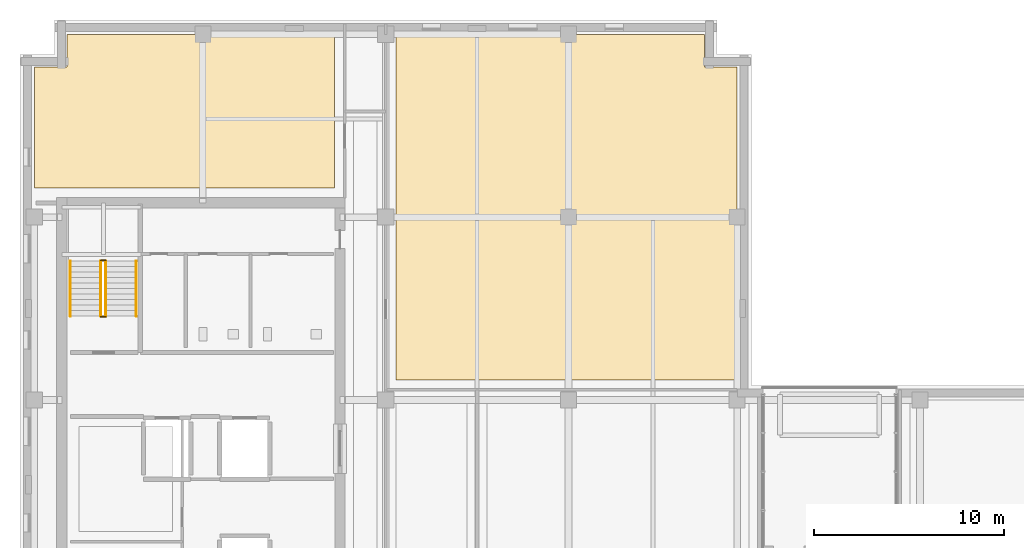
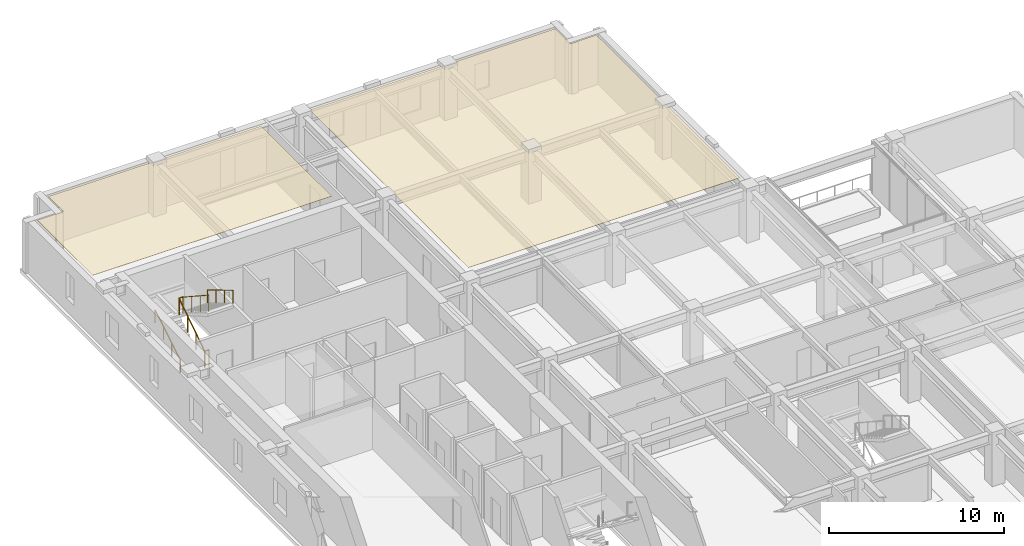
# One storey, part 12 of 14: 6 railings, 2 coverings.
"""IFC4 building model written with IfcOpenShell, lengths in metres."""

from ifc_helpers import new_model, si_unit, direction, frame, origin, origin_2d, place, context, subcontext, project, spatial, polyline, circle, outline, extrude, material, layer, layer_set, type_object, element, save


model = new_model("IFC4")

# Units and contexts
model_context = context("Model", 3, precision=1e-05, world=origin(), true_north=direction((0.0, 1.0)))
body_context = subcontext(model_context, "Body", "Model", "MODEL_VIEW")
ifc_project = project(units=[si_unit("LENGTHUNIT", "METRE"), si_unit("AREAUNIT", "SQUARE_METRE"), si_unit("VOLUMEUNIT", "CUBIC_METRE"), si_unit("PLANEANGLEUNIT", "RADIAN"), si_unit("MASSUNIT", "GRAM", prefix="KILO")], contexts=[model_context])

# Site, building, storey
site_placement = place(None, origin())
site = spatial("IfcSite", under=ifc_project, at=site_placement, CompositionType="ELEMENT")
building_placement = place(site_placement, origin())
building = spatial("IfcBuilding", under=site, at=building_placement, Name="Norrvale University Quadrangle", CompositionType="ELEMENT")
storey_placement = place(building_placement, frame((0.0, 0.0, 221.800048828125)))
storey = spatial("IfcBuildingStorey", under=building, at=storey_placement, Name="L56", CompositionType="ELEMENT", Elevation=221.800048828125)

# Coverings
ifc_material_1 = material(Name="Perforated Acoustic Mineral Ceiling")
ifc_layer = layer(ifc_material_1, 0.02490234375, Name="Perforated Acoustic Mineral Ceiling")
ifc_layer_set = layer_set([ifc_layer], Name="Perforated Acoustic Mineral Ceiling")
covering_type = type_object("IfcCoveringType", Name="Covering Acoustic Ceiling 25", PredefinedType="CEILING", material=ifc_layer_set)
covering_1_placement = place(storey_placement, frame((0.0, 0.0, 3.514892578125)))
element("IfcCovering", 1, at=covering_1_placement, inside=storey, type_object=covering_type, Name="Acoustic Ceiling RM-L56-NE01", PredefinedType="CEILING", context=body_context, shape_type="SweptSolid", body=[
    extrude(outline(polyline([(19.72998046875, 38.7099609375), (19.72998046875, 56.85009765625), (35.929931640625, 56.85009765625), (35.929931640625, 55.1298828125), (37.64990234375, 55.1298828125), (37.64990234375, 38.7099609375), (19.72998046875, 38.7099609375)])), origin(), (0.0, 0.0, 1.0), 0.025146484375),
])
covering_2_placement = place(storey_placement, frame((0.0, 0.0, 3.514892578125)))
element("IfcCovering", 2, at=covering_2_placement, inside=storey, type_object=covering_type, Name="Acoustic Ceiling RM-L56-NW01", PredefinedType="CEILING", context=body_context, shape_type="SweptSolid", body=[
    extrude(outline(polyline([(16.52001953125, 56.85009765625), (16.52001953125, 48.780029296875), (0.75, 48.780029296875), (0.75, 55.1298828125), (2.469970703125, 55.1298828125), (2.469970703125, 56.85009765625), (16.52001953125, 56.85009765625)])), origin(), (0.0, 0.0, 1.0), 0.025146484375),
])

# Railings
ifc_material_2 = material(Name="Steel 350W Painted Balustrade", Category="steel")
railing_type_1 = type_object("IfcRailingType", Name="Railing Stair Guard 1100", PredefinedType="GUARDRAIL", material=ifc_material_2)
for number, where, name in (
    (3, (4.239990234375, 42.02001953125, 0.0), "Stair Floor Well Guard ST-02 L56"),
    (4, (4.239990234375, 44.97998046875, 1.89990234375), "Stair Mid-Landing Slot Guard ST-02 L56"),
):
    element("IfcRailing", number, at=place(storey_placement, frame(where)), inside=storey, type_object=railing_type_1, Name=name, PredefinedType="GUARDRAIL", context=body_context, shape_type="SweptSolid", body=[
        extrude(circle(Radius=0.02392578125, at=origin_2d()), frame((0.0, 0.0, 1.1259765625), z_axis=(1.0, 0.0, 0.0), x_axis=(0.0, 1.0, 0.0)), (0.0, 0.0, 1.0), 0.27001953125),
        extrude(circle(Radius=0.02099609375, at=origin_2d()), origin(), (0.0, 0.0, 1.0), 1.101806640625),
        extrude(circle(Radius=0.02099609375, at=origin_2d()), frame((0.27001953125, 0.0, 0.0)), (0.0, 0.0, 1.0), 1.101806640625),
    ])
railing_1_placement = place(storey_placement, frame((4.239990234375, 42.050048828125, 0.0)))
element("IfcRailing", 5, at=railing_1_placement, inside=storey, type_object=railing_type_1, Name="Stair Lower Flight Inner Guard ST-02 L56", PredefinedType="GUARDRAIL", context=body_context, shape_type="SweptSolid", body=[
    extrude(circle(Radius=0.02392578125, at=origin_2d()), frame((0.0, 0.0, 1.1259765625), z_axis=(0.0, 0.836465582154, 0.548019461216), x_axis=(-1.0, 0.0, 0.0)), (0.0, 0.0, 1.0), 3.466796875),
    extrude(circle(Radius=0.02099609375, at=origin_2d()), origin(), (0.0, 0.0, 1.0), 1.101806640625),
    extrude(circle(Radius=0.02099609375, at=origin_2d()), frame((0.0, 0.966552734375, 0.63330078125)), (0.0, 0.0, 1.0), 1.101806640625),
    extrude(circle(Radius=0.02099609375, at=origin_2d()), frame((0.0, 1.933349609375, 1.2666015625)), (0.0, 0.0, 1.0), 1.101806640625),
    extrude(circle(Radius=0.02099609375, at=origin_2d()), frame((0.0, 2.89990234375, 1.89990234375)), (0.0, 0.0, 1.0), 1.101806640625),
])
railing_2_placement = place(storey_placement, frame((4.510009765625, 44.949951171875, 1.89990234375)))
element("IfcRailing", 6, at=railing_2_placement, inside=storey, type_object=railing_type_1, Name="Stair Upper Flight Inner Guard ST-02 L56", PredefinedType="GUARDRAIL", context=body_context, shape_type="SweptSolid", body=[
    extrude(circle(Radius=0.02392578125, at=origin_2d()), frame((0.0, 0.0, 1.1259765625), z_axis=(0.0, -0.836433300813, 0.548068730445), x_axis=(1.0, 0.0, 0.0)), (0.0, 0.0, 1.0), 3.467041015625),
    extrude(circle(Radius=0.02099609375, at=origin_2d()), origin(), (0.0, 0.0, 1.0), 1.101806640625),
    extrude(circle(Radius=0.02099609375, at=origin_2d()), frame((0.0, -0.966552734375, 0.63330078125)), (0.0, 0.0, 1.0), 1.101806640625),
    extrude(circle(Radius=0.02099609375, at=origin_2d()), frame((0.0, -1.933349609375, 1.266845703125)), (0.0, 0.0, 1.0), 1.101806640625),
    extrude(circle(Radius=0.02099609375, at=origin_2d()), frame((0.0, -2.89990234375, 1.900146484375)), (0.0, 0.0, 1.0), 1.101806640625),
])
ifc_material_3 = material(Name="Stainless Steel 316L Handrail", Category="steel")
railing_type_2 = type_object("IfcRailingType", Name="Railing Stair Handrail 920", PredefinedType="HANDRAIL", material=ifc_material_3)
railing_3_placement = place(storey_placement, frame((2.639892578125, 42.050048828125, 0.172607421875)))
element("IfcRailing", 7, at=railing_3_placement, inside=storey, type_object=railing_type_2, Name="Stair Lower Flight Handrail ST-02 L56", PredefinedType="HANDRAIL", context=body_context, shape_type="SweptSolid", body=[
    extrude(circle(Radius=0.02392578125, at=origin_2d()), frame((0.0, 0.0, 0.89599609375), z_axis=(0.0, 0.859141464434, 0.511738159696), x_axis=(-1.0, 0.0, 0.0)), (0.0, 0.0, 1.0), 3.375244140625),
    extrude(circle(Radius=0.02099609375, at=origin_2d()), origin(), (0.0, 0.0, 1.0), 0.871826171875),
    extrude(circle(Radius=0.02099609375, at=origin_2d()), frame((0.0, 0.966552734375, 0.57568359375)), (0.0, 0.0, 1.0), 0.871826171875),
    extrude(circle(Radius=0.02099609375, at=origin_2d()), frame((0.0, 1.933349609375, 1.151611328125)), (0.0, 0.0, 1.0), 0.871826171875),
    extrude(circle(Radius=0.02099609375, at=origin_2d()), frame((0.0, 2.89990234375, 1.727294921875)), (0.0, 0.0, 1.0), 0.871826171875),
])
railing_4_placement = place(storey_placement, frame((6.110107421875, 44.949951171875, 2.07275390625)))
element("IfcRailing", 8, at=railing_4_placement, inside=storey, type_object=railing_type_2, Name="Stair Upper Flight Handrail ST-02 L56", PredefinedType="HANDRAIL", context=body_context, shape_type="SweptSolid", body=[
    extrude(circle(Radius=0.02392578125, at=origin_2d()), frame((0.0, 0.0, 0.89599609375), z_axis=(0.0, -0.859141464434, 0.511738159696), x_axis=(1.0, 0.0, 0.0)), (0.0, 0.0, 1.0), 3.375244140625),
    extrude(circle(Radius=0.02099609375, at=origin_2d()), origin(), (0.0, 0.0, 1.0), 0.871826171875),
    extrude(circle(Radius=0.02099609375, at=origin_2d()), frame((0.0, -0.966552734375, 0.57568359375)), (0.0, 0.0, 1.0), 0.871826171875),
    extrude(circle(Radius=0.02099609375, at=origin_2d()), frame((0.0, -1.933349609375, 1.151611328125)), (0.0, 0.0, 1.0), 0.871826171875),
    extrude(circle(Radius=0.02099609375, at=origin_2d()), frame((0.0, -2.89990234375, 1.727294921875)), (0.0, 0.0, 1.0), 0.871826171875),
])

save(model, "model.ifc")
